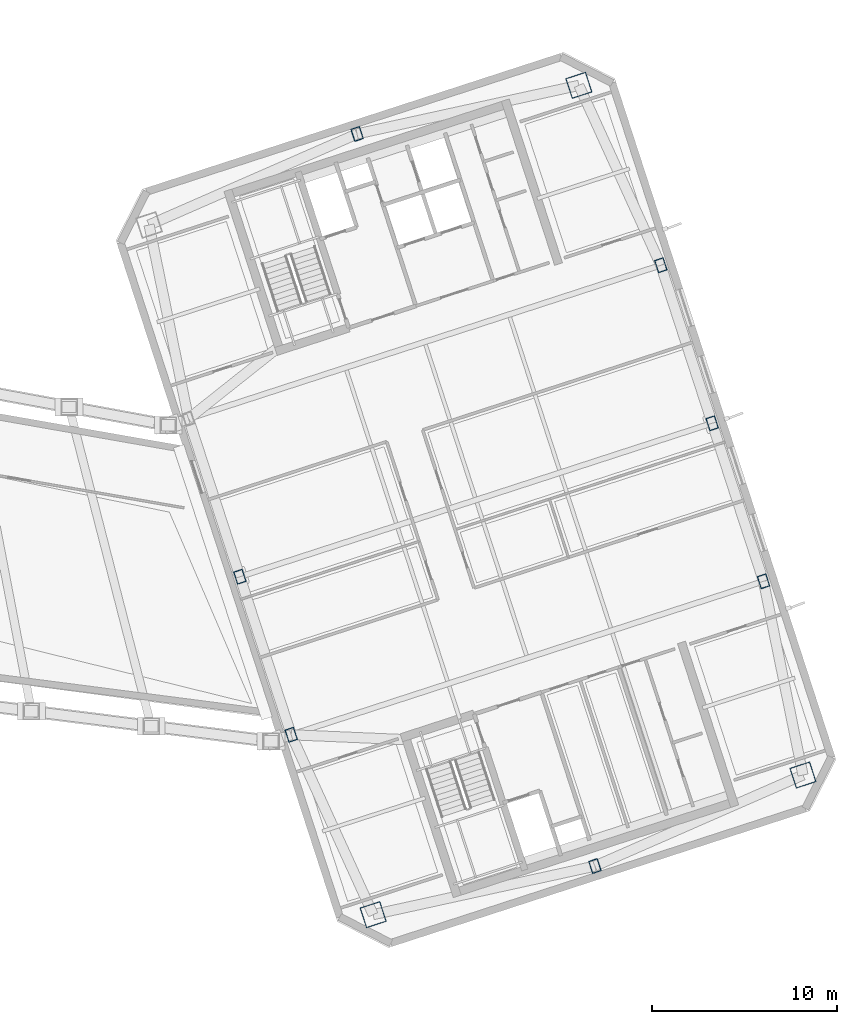
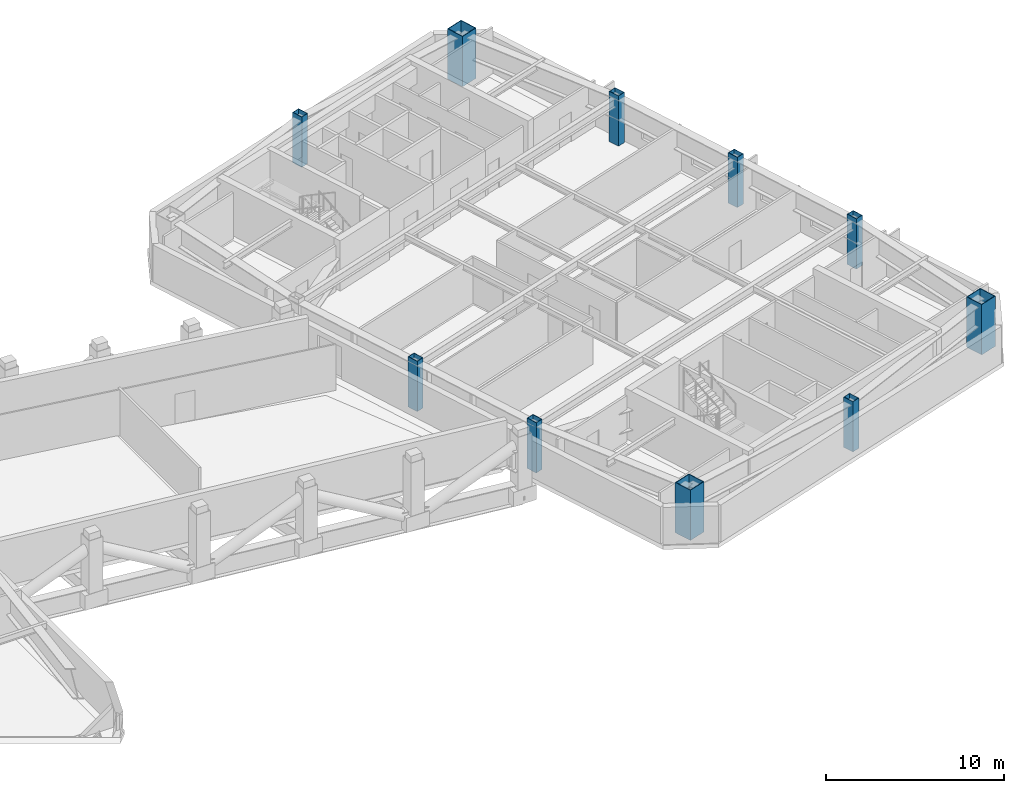
# One storey, part 2 of 19: 10 columns.
"""IFC4 building model written with IfcOpenShell, lengths in metres."""

from ifc_helpers import new_model, si_unit, direction, frame, origin, origin_2d, place, context, subcontext, project, spatial, hollow_rectangle, extrude, material, material_profile, profile_set, type_object, element, save


model = new_model("IFC4")

# Units and contexts
model_context = context("Model", 3, precision=1e-05, world=origin(), true_north=direction((0.0, 1.0)))
body_context = subcontext(model_context, "Body", "Model", "MODEL_VIEW")
ifc_project = project(units=[si_unit("LENGTHUNIT", "METRE"), si_unit("AREAUNIT", "SQUARE_METRE"), si_unit("VOLUMEUNIT", "CUBIC_METRE"), si_unit("PLANEANGLEUNIT", "RADIAN"), si_unit("MASSUNIT", "GRAM", prefix="KILO")], contexts=[model_context])

# Site, building, storey
site_placement = place(None, origin())
site = spatial("IfcSite", under=ifc_project, at=site_placement, CompositionType="ELEMENT")
building_placement = place(site_placement, origin())
building = spatial("IfcBuilding", under=site, at=building_placement, Name="Qiaolan Cultural Towers", CompositionType="ELEMENT")
storey_placement = place(building_placement, frame((0.0, 0.0, 216.199951171875)))
storey = spatial("IfcBuildingStorey", under=building, at=storey_placement, Name="L58", CompositionType="ELEMENT", Elevation=216.199951171875)

# Columns
ifc_material_1 = material(Name="Steel Q390GJB", Category="steel")
ifc_material_profile_1 = material_profile(ifc_material_1, hollow_rectangle(XDim=1.14990234375, YDim=1.14990234375, WallThickness=0.0400390625, at=origin_2d()), Name="BOX1150x1150x40")
ifc_profile_set_1 = profile_set([ifc_material_profile_1], Name="Steel Q390GJB")
column_type_1 = type_object("IfcColumnType", Name="COL-BOX1150x1150x40", PredefinedType="COLUMN", material=ifc_profile_set_1)
for number, where, z_axis, x_axis, name in (
    (1, (84.42822265625, 11.538818359375, 0.0), (0.0, 0.0, 1.0), (0.951056516295, 0.309016994375, 0.0), "L58 T2 Perimeter Column MC-SW"),
    (2, (107.7099609375, 19.103515625, 0.0), (0.0, 0.0, 1.0), (0.951056516295, 0.309016994375, 0.0), "L58 T2 Perimeter Column MC-SE"),
    (3, (95.57177734375, 56.461181640625, 0.0), (0.0, 0.0, 1.0), (0.951056516295, 0.309016994375, 0.0), "L58 T2 Perimeter Column MC-NE"),
):
    element("IfcColumn", number, at=place(storey_placement, frame(where, z_axis=z_axis, x_axis=x_axis)), inside=storey, type_object=column_type_1, Name=name, PredefinedType="COLUMN", context=body_context, shape_type="SweptSolid", body=[
        extrude(hollow_rectangle(XDim=1.14990234375, YDim=1.14990234375, WallThickness=0.0400390625, at=origin_2d()), origin(), (0.0, 0.0, 1.0), 3.450927734375),
    ])
ifc_material_2 = material(Name="Steel Q355B", Category="steel")
ifc_material_profile_2 = material_profile(ifc_material_2, hollow_rectangle(XDim=0.5, YDim=0.699951171875, WallThickness=0.02490234375, at=origin_2d()), Name="BOX700x500x25")
ifc_profile_set_2 = profile_set([ifc_material_profile_2], Name="Steel Q355B")
column_type_2 = type_object("IfcColumnType", Name="COL-BOX700x500x25", PredefinedType="COLUMN", material=ifc_profile_set_2)
for number, where, z_axis, x_axis, name in (
    (4, (79.989501953125, 21.2841796875, 0.0), (0.0, 0.0, 1.0), (0.951056516295, 0.309016994375, 0.0), "L58 T2 Perimeter Column PC-W1"),
    (5, (77.208251953125, 29.84375, 0.0), (0.0, 0.0, 1.0), (0.951056516295, 0.309016994375, 0.0), "L58 T2 Perimeter Column PC-W2"),
    (6, (105.57275390625, 29.5966796875, 0.0), (0.0, 0.0, 1.0), (0.951056516295, 0.309016994375, 0.0), "L58 T2 Perimeter Column PC-E1"),
    (7, (102.791748046875, 38.15625, 0.0), (0.0, 0.0, 1.0), (0.951056516295, 0.309016994375, 0.0), "L58 T2 Perimeter Column PC-E2"),
    (8, (100.010498046875, 46.7158203125, 0.0), (0.0, 0.0, 1.0), (0.951056516295, 0.309016994375, 0.0), "L58 T2 Perimeter Column PC-E3"),
    (9, (96.443115234375, 14.17041015625, 0.0), (0.0, 0.0, 1.0), (0.951056516295, 0.309016994375, 0.0), "L58 T2 Perimeter Column PC-S0"),
    (10, (83.556884765625, 53.82958984375, 0.0), (0.0, 0.0, 1.0), (0.951056516295, 0.309016994375, 0.0), "L58 T2 Perimeter Column PC-N0"),
):
    element("IfcColumn", number, at=place(storey_placement, frame(where, z_axis=z_axis, x_axis=x_axis)), inside=storey, type_object=column_type_2, Name=name, PredefinedType="COLUMN", context=body_context, shape_type="SweptSolid", body=[
        extrude(hollow_rectangle(XDim=0.5, YDim=0.699951171875, WallThickness=0.02490234375, at=origin_2d()), origin(), (0.0, 0.0, 1.0), 3.450927734375),
    ])

save(model, "model.ifc")
